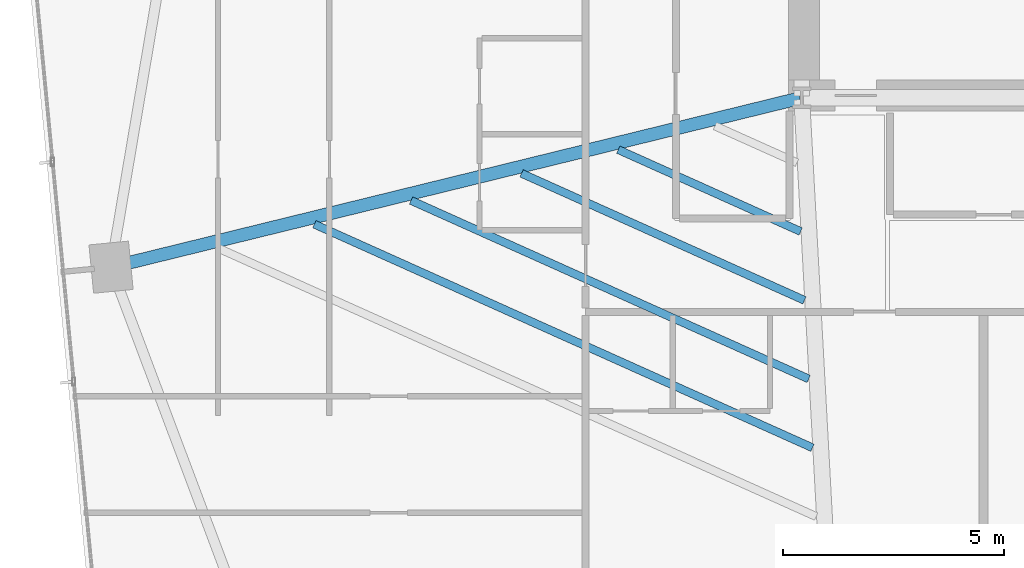
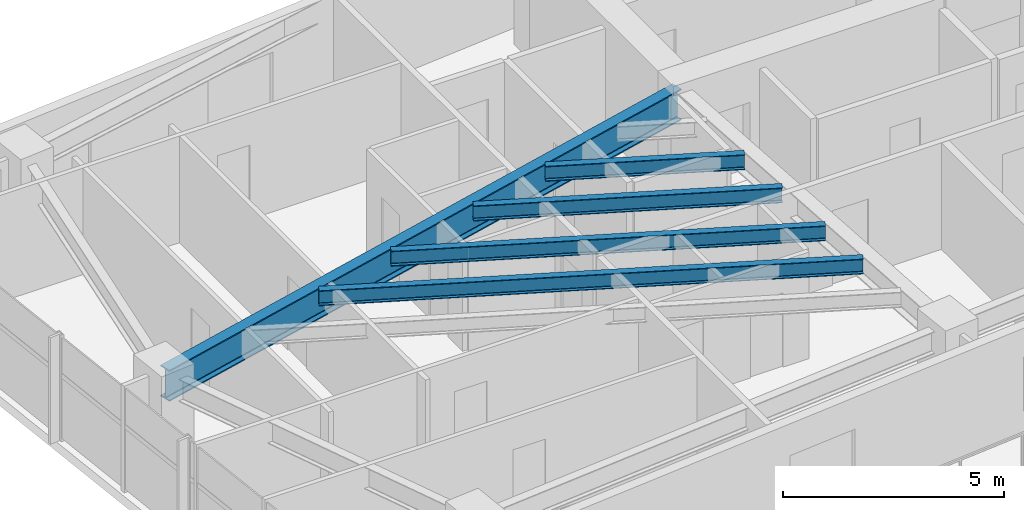
# One storey, part 5 of 25: 5 beams.
"""IFC4 building model written with IfcOpenShell, lengths in metres."""

from ifc_helpers import new_model, si_unit, direction, frame, origin, origin_2d, place, context, subcontext, project, spatial, i_section, extrude, source, transform, mapped, material, material_profile, profile_set, type_object, type_shapes, element, save


model = new_model("IFC4")

# Units and contexts
model_context = context("Model", 3, precision=1e-05, world=origin(), true_north=direction((0.0, 1.0)))
body_context = subcontext(model_context, "Body", "Model", "MODEL_VIEW")
ifc_project = project(units=[si_unit("LENGTHUNIT", "METRE"), si_unit("AREAUNIT", "SQUARE_METRE"), si_unit("VOLUMEUNIT", "CUBIC_METRE"), si_unit("PLANEANGLEUNIT", "RADIAN"), si_unit("MASSUNIT", "GRAM", prefix="KILO")], contexts=[model_context])

# Site, building, storey
site_placement = place(None, origin())
site = spatial("IfcSite", under=ifc_project, at=site_placement, CompositionType="ELEMENT")
building_placement = place(site_placement, origin())
building = spatial("IfcBuilding", under=site, at=building_placement, Name="Astriad Promenade Condominiums", CompositionType="ELEMENT")
storey_placement = place(building_placement, frame((0.0, 0.0, 103.39990234375)))
storey = spatial("IfcBuildingStorey", under=building, at=storey_placement, Name="L29", CompositionType="ELEMENT", Elevation=103.39990234375)

# Beams
ifc_material = material(Name="Steel ASTM A992 Grade 50", Category="steel")
ifc_material_profile_1 = material_profile(ifc_material, i_section(OverallWidth=0.2919921875, OverallDepth=0.85888671875, WebThickness=0.01708984375, FlangeThickness=0.031005859375, FilletRadius=0.02294921875, at=origin_2d()), Name="W33X169")
ifc_profile_set_1 = profile_set([ifc_material_profile_1], Name="Steel ASTM A992 Grade 50")
beam_type_1 = type_object("IfcBeamType", Name="STEEL PRIMARY GIRDER W33X169", PredefinedType="BEAM", material=ifc_profile_set_1)
shared_shape_1 = source(origin(), body_context, "Body", "SweptSolid", [
    extrude(i_section(OverallWidth=0.2919921875, OverallDepth=0.85888671875, WebThickness=0.01708984375, FlangeThickness=0.031005859375, FilletRadius=0.02294921875, at=origin_2d()), origin(), (0.0, 0.0, 1.0), 16.032470703125),
])
type_shapes(beam_type_1, [shared_shape_1])
beam_1_placement = place(storey_placement, frame((10.790283203125, 13.5703125, 2.510498046875), z_axis=(0.971199076901, 0.238269496633, 0.0), x_axis=(-0.238269496633, 0.971199076901, 0.0)))
element("IfcBeam", 1, at=beam_1_placement, inside=storey, type_object=beam_type_1, Name="Primary Floor Girder PG-WM-L29", PredefinedType="BEAM", context=body_context, shape_type="MappedRepresentation", body=[
    mapped(shared_shape_1, transform((0.0, 0.0, 0.0), scale=1.0)),
])
ifc_material_profile_2 = material_profile(ifc_material, i_section(OverallWidth=0.180908203125, OverallDepth=0.417236328125, WebThickness=0.010986328125, FlangeThickness=0.018310546875, FilletRadius=0.013916015625, at=origin_2d()), Name="W16X57")
ifc_profile_set_2 = profile_set([ifc_material_profile_2], Name="Steel ASTM A992 Grade 50")
beam_type_2 = type_object("IfcBeamType", Name="STEEL FLOOR JOIST W16X57", PredefinedType="JOIST", material=ifc_profile_set_2)
shared_shape_2 = source(origin(), body_context, "Body", "SweptSolid", [
    extrude(i_section(OverallWidth=0.180908203125, OverallDepth=0.417236328125, WebThickness=0.010986328125, FlangeThickness=0.018310546875, FilletRadius=0.013916015625, at=origin_2d()), origin(), (0.0, 0.0, 1.0), 12.369140625),
])
beam_2_placement = place(storey_placement, frame((15.35888671875, 14.534423828125, 2.7314453125), z_axis=(0.91230851279, -0.409503574454, 0.0), x_axis=(0.409503574454, 0.91230851279, 0.0)))
element("IfcBeam", 2, at=beam_2_placement, inside=storey, type_object=beam_type_2, Name="Secondary Composite Floor Joist JW1-2-L29", PredefinedType="JOIST", context=body_context, shape_type="MappedRepresentation", body=[
    mapped(shared_shape_2, transform((0.0, 0.0, 0.0), scale=1.0)),
])
shared_shape_3 = source(origin(), body_context, "Body", "SweptSolid", [
    extrude(i_section(OverallWidth=0.180908203125, OverallDepth=0.417236328125, WebThickness=0.010986328125, FlangeThickness=0.018310546875, FilletRadius=0.013916015625, at=origin_2d()), origin(), (0.0, 0.0, 1.0), 9.875),
])
beam_3_placement = place(storey_placement, frame((17.549560546875, 15.072021484375, 2.7314453125), z_axis=(0.912313833055, -0.409491721549, 0.0), x_axis=(0.409491721549, 0.912313833055, 0.0)))
element("IfcBeam", 3, at=beam_3_placement, inside=storey, type_object=beam_type_2, Name="Secondary Composite Floor Joist JW1-3-L29", PredefinedType="JOIST", context=body_context, shape_type="MappedRepresentation", body=[
    mapped(shared_shape_3, transform((0.0, 0.0, 0.0), scale=1.0)),
])
shared_shape_4 = source(origin(), body_context, "Body", "SweptSolid", [
    extrude(i_section(OverallWidth=0.180908203125, OverallDepth=0.417236328125, WebThickness=0.010986328125, FlangeThickness=0.018310546875, FilletRadius=0.013916015625, at=origin_2d()), origin(), (0.0, 0.0, 1.0), 7.024169921875),
])
beam_4_placement = place(storey_placement, frame((20.053466796875, 15.686279296875, 2.7314453125), z_axis=(0.912306106293, -0.409508935703, 0.0), x_axis=(0.409508935703, 0.912306106293, 0.0)))
element("IfcBeam", 4, at=beam_4_placement, inside=storey, type_object=beam_type_2, Name="Secondary Composite Floor Joist JW1-4-L29", PredefinedType="JOIST", context=body_context, shape_type="MappedRepresentation", body=[
    mapped(shared_shape_4, transform((0.0, 0.0, 0.0), scale=1.0)),
])
shared_shape_5 = source(origin(), body_context, "Body", "SweptSolid", [
    extrude(i_section(OverallWidth=0.180908203125, OverallDepth=0.417236328125, WebThickness=0.010986328125, FlangeThickness=0.018310546875, FilletRadius=0.013916015625, at=origin_2d()), origin(), (0.0, 0.0, 1.0), 4.52978515625),
])
type_shapes(beam_type_2, [shared_shape_2, shared_shape_3, shared_shape_4, shared_shape_5])
beam_5_placement = place(storey_placement, frame((22.244140625, 16.2236328125, 2.7314453125), z_axis=(0.912307341368, -0.409506184186, 0.0), x_axis=(0.409506184186, 0.912307341368, 0.0)))
element("IfcBeam", 5, at=beam_5_placement, inside=storey, type_object=beam_type_2, Name="Secondary Composite Floor Joist JW1-5-L29", PredefinedType="JOIST", context=body_context, shape_type="MappedRepresentation", body=[
    mapped(shared_shape_5, transform((0.0, 0.0, 0.0), scale=1.0)),
])

save(model, "model.ifc")
